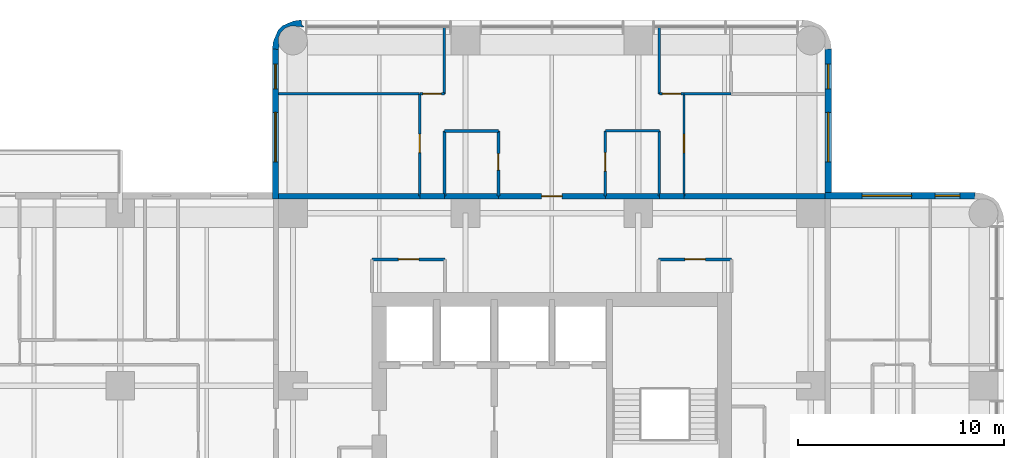
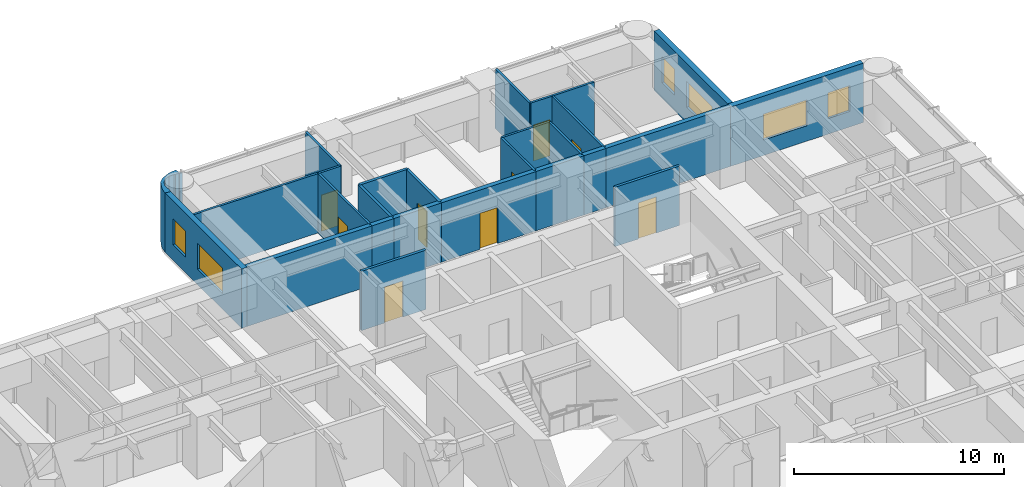
# One storey, part 9 of 11: 27 walls, 9 doors, 6 windows, 15 openings.
"""IFC4 building model written with IfcOpenShell, lengths in metres."""

from ifc_helpers import new_model, si_unit, direction, frame, frame_2d, origin, place, context, subcontext, project, spatial, polyline, rectangle, outline, extrude, material, layer, layer_set, type_object, element, fill, save


model = new_model("IFC4")

# Units and contexts
model_context = context("Model", 3, precision=1e-05, world=origin(), true_north=direction((0.0, 1.0)))
body_context = subcontext(model_context, "Body", "Model", "MODEL_VIEW")
ifc_project = project(units=[si_unit("LENGTHUNIT", "METRE"), si_unit("AREAUNIT", "SQUARE_METRE"), si_unit("VOLUMEUNIT", "CUBIC_METRE"), si_unit("PLANEANGLEUNIT", "RADIAN"), si_unit("MASSUNIT", "GRAM", prefix="KILO")], contexts=[model_context])

# Site, building, storey
site_placement = place(None, origin())
site = spatial("IfcSite", under=ifc_project, at=site_placement, CompositionType="ELEMENT")
building_placement = place(site_placement, origin())
building = spatial("IfcBuilding", under=site, at=building_placement, Name="Torre Alcanfor", CompositionType="ELEMENT")
storey_placement = place(building_placement, frame((0.0, 0.0, 194.10009765625)))
storey = spatial("IfcBuildingStorey", under=building, at=storey_placement, Name="L50", CompositionType="ELEMENT", Elevation=194.10009765625)

# Wall, opening, door
ifc_material_1 = material(Name="Concrete block masonry, hollow blocks NMX-C-404 9 MPa", Category="masonry")
ifc_layer_1 = layer(ifc_material_1, 0.25)
ifc_layer_set_1 = layer_set([ifc_layer_1], Name="Apartment entrance wall 250 EI 60")
wall_type_1 = type_object("IfcWallType", Name="Apartment entrance wall 250 EI 60", PredefinedType="PARTITIONING", material=ifc_layer_set_1)
wall_1_placement = place(storey_placement, frame((26.800048828125, 42.824951171875, 0.0), z_axis=(0.0, 0.0, 1.0), x_axis=(1.0, 0.0, 0.0)))
wall_1 = element("IfcWall", 1, at=wall_1_placement, inside=storey, type_object=wall_type_1, Name="Partition L50-CORR / L50-NX-ZAG", PredefinedType="PARTITIONING", context=body_context, shape_type="SweptSolid", body=[
    extrude(rectangle(XDim=5.199951171875, YDim=0.25, at=frame_2d((2.60009765625, 0.0))), origin(), (0.0, 0.0, 1.0), 3.449951171875),
])
opening_1_placement = place(wall_1_placement, frame((2.10009765625, 0.0, 0.0)))
opening_1 = element("IfcOpeningElement", 2, at=opening_1_placement, cuts=wall_1, Name="Opening D-A1", PredefinedType="OPENING", context=body_context, shape_type="SweptSolid", body=[
    extrude(rectangle(XDim=1.0, YDim=2.10009765625, at=frame_2d((0.5, 1.050048828125))), frame((0.0, 0.135009765625, 0.0), z_axis=(0.0, -1.0, 0.0), x_axis=(1.0, 0.0, 0.0)), (0.0, 0.0, 1.0), 0.27001953125),
])
ifc_material_2 = material(Name="Galvanised steel sheet ASTM A653", Category="steel")
door_type_1 = type_object("IfcDoorType", Name="Apartment entrance door FD60 1000x2100", OperationType="SINGLE_SWING_LEFT", PredefinedType="DOOR", material=ifc_material_2)
door_1_placement = place(opening_1_placement, origin())
door_1 = element("IfcDoor", 3, at=door_1_placement, inside=storey, type_object=door_type_1, Name="Apartment entrance L50-NX", OperationType="SINGLE_SWING_LEFT", OverallHeight=2.10009765625, OverallWidth=1.0, PredefinedType="DOOR", context=body_context, shape_type="SweptSolid", body=[
    extrude(rectangle(XDim=1.0, YDim=2.10009765625, at=frame_2d((0.5, 1.050048828125))), frame((0.0, 0.02490234375, 0.0), z_axis=(0.0, -1.0, 0.0), x_axis=(1.0, 0.0, 0.0)), (0.0, 0.0, 1.0), 0.050048828125),
])
fill(opening_1, door_1)

# Walls
wall_2_placement = place(storey_placement, frame((24.1708984375, 42.824951171875, 0.0), z_axis=(0.0, 0.0, 1.0), x_axis=(1.0, 0.0, 0.0)))
element("IfcWall", 4, at=wall_2_placement, inside=storey, type_object=wall_type_1, Name="Partition L50-CORR / L50-NX-BATH2", PredefinedType="PARTITIONING", context=body_context, shape_type="SweptSolid", body=[
    extrude(rectangle(XDim=2.629150390625, YDim=0.25, at=frame_2d((1.314453125, 0.0))), origin(), (0.0, 0.0, 1.0), 3.449951171875),
])
wall_3_placement = place(storey_placement, frame((32.0, 42.824951171875, 0.0), z_axis=(0.0, 0.0, 1.0), x_axis=(1.0, 0.0, 0.0)))
element("IfcWall", 5, at=wall_3_placement, inside=storey, type_object=wall_type_1, Name="Partition L50-CORR / L50-NX-KITCHEN", PredefinedType="PARTITIONING", context=body_context, shape_type="SweptSolid", body=[
    extrude(rectangle(XDim=2.62890625, YDim=0.25, at=frame_2d((1.314453125, 0.0))), origin(), (0.0, 0.0, 1.0), 3.449951171875),
])
wall_4_placement = place(storey_placement, frame((22.970947265625, 42.824951171875, 0.0), z_axis=(0.0, 0.0, 1.0), x_axis=(1.0, 0.0, 0.0)))
element("IfcWall", 6, at=wall_4_placement, inside=storey, type_object=wall_type_1, Name="Partition L50-CORR / L50-NX-LIVING", PredefinedType="PARTITIONING", context=body_context, shape_type="SweptSolid", body=[
    extrude(rectangle(XDim=1.199951171875, YDim=0.25, at=frame_2d((0.60009765625, 0.0))), origin(), (0.0, 0.0, 1.0), 3.449951171875),
])
wall_5_placement = place(storey_placement, frame((34.62890625, 42.824951171875, 0.0), z_axis=(0.0, 0.0, 1.0), x_axis=(1.0, 0.0, 0.0)))
element("IfcWall", 7, at=wall_5_placement, inside=storey, type_object=wall_type_1, Name="Partition L50-CORR / L50-NX-LIVING", PredefinedType="PARTITIONING", context=body_context, shape_type="SweptSolid", body=[
    extrude(rectangle(XDim=1.2001953125, YDim=0.25, at=frame_2d((0.60009765625, 0.0))), origin(), (0.0, 0.0, 1.0), 3.449951171875),
])
for number, where, z_axis, x_axis, name in (
    (8, (16.10009765625, 42.824951171875, 0.0), (0.0, 0.0, 1.0), (1.0, 0.0, 0.0), "Partition L50-CORR / L50-NX-BED2"),
    (9, (35.8291015625, 42.824951171875, 0.0), (0.0, 0.0, 1.0), (1.0, 0.0, 0.0), "Partition L50-CORR / L50-NX-BED3"),
):
    element("IfcWall", number, at=place(storey_placement, frame(where, z_axis=z_axis, x_axis=x_axis)), inside=storey, type_object=wall_type_1, Name=name, PredefinedType="PARTITIONING", context=body_context, shape_type="SweptSolid", body=[
        extrude(rectangle(XDim=6.870849609375, YDim=0.25, at=frame_2d((3.435546875, 0.0))), origin(), (0.0, 0.0, 1.0), 3.449951171875),
    ])

# Wall, opening, door
ifc_material_3 = material(Name="Gypsum board on steel studs", Category="steel")
ifc_layer_2 = layer(ifc_material_3, 0.1201171875)
ifc_layer_set_2 = layer_set([ifc_layer_2], Name="Apartment partition 120")
wall_type_2 = type_object("IfcWallType", Name="Apartment partition 120", PredefinedType="PARTITIONING", material=ifc_layer_set_2)
wall_6_placement = place(storey_placement, frame((32.0, 42.824951171875, 0.0), z_axis=(0.0, 0.0, 1.0), x_axis=(0.0, 1.0, 0.0)))
wall_6 = element("IfcWall", 10, at=wall_6_placement, inside=storey, type_object=wall_type_2, Name="Partition L50-NX-ZAG / L50-NX-KITCHEN", PredefinedType="PARTITIONING", context=body_context, shape_type="SweptSolid", body=[
    extrude(rectangle(XDim=3.175048828125, YDim=0.1201171875, at=frame_2d((1.58740234375, 0.0))), origin(), (0.0, 0.0, 1.0), 3.449951171875),
])
opening_2_placement = place(wall_6_placement, frame((1.22509765625, 0.0, 0.0)))
opening_2 = element("IfcOpeningElement", 11, at=opening_2_placement, cuts=wall_6, Name="Opening D-R1", PredefinedType="OPENING", context=body_context, shape_type="SweptSolid", body=[
    extrude(rectangle(XDim=0.89990234375, YDim=2.10009765625, at=frame_2d((0.449951171875, 1.050048828125))), frame((0.0, 0.070068359375, 0.0), z_axis=(0.0, -1.0, 0.0), x_axis=(1.0, 0.0, 0.0)), (0.0, 0.0, 1.0), 0.14013671875),
])
ifc_material_4 = material(Name="Timber", Category="wood")
door_type_2 = type_object("IfcDoorType", Name="Internal door 900x2100", OperationType="SINGLE_SWING_LEFT", PredefinedType="DOOR", material=ifc_material_4)
door_2_placement = place(opening_2_placement, frame((0.89990234375, 0.0, 0.0), z_axis=(0.0, 0.0, 1.0), x_axis=(-1.0, 0.0, 0.0)))
door_2 = element("IfcDoor", 12, at=door_2_placement, inside=storey, type_object=door_type_2, Name="Door L50-NX kitchen", OperationType="SINGLE_SWING_LEFT", OverallHeight=2.10009765625, OverallWidth=0.89990234375, PredefinedType="DOOR", context=body_context, shape_type="SweptSolid", body=[
    extrude(rectangle(XDim=0.89990234375, YDim=2.10009765625, at=frame_2d((0.449951171875, 1.050048828125))), frame((0.0, 0.025146484375, 0.0), z_axis=(0.0, -1.0, 0.0), x_axis=(1.0, 0.0, 0.0)), (0.0, 0.0, 1.0), 0.050048828125),
])
fill(opening_2, door_2)

# Walls
wall_7_placement = place(storey_placement, frame((34.62890625, 42.824951171875, 0.0), z_axis=(0.0, 0.0, 1.0), x_axis=(0.0, 1.0, 0.0)))
element("IfcWall", 13, at=wall_7_placement, inside=storey, type_object=wall_type_2, Name="Partition L50-NX-KITCHEN / L50-NX-LIVING", PredefinedType="PARTITIONING", context=body_context, shape_type="SweptSolid", body=[
    extrude(rectangle(XDim=3.175048828125, YDim=0.1201171875, at=frame_2d((1.58740234375, 0.0))), origin(), (0.0, 0.0, 1.0), 3.449951171875),
])
wall_8_placement = place(storey_placement, frame((34.62890625, 46.0, 0.0), z_axis=(0.0, 0.0, 1.0), x_axis=(-1.0, 0.0, 0.0)))
element("IfcWall", 14, at=wall_8_placement, inside=storey, type_object=wall_type_2, Name="Partition L50-NX-KITCHEN / L50-NX-LIVING", PredefinedType="PARTITIONING", context=body_context, shape_type="SweptSolid", body=[
    extrude(rectangle(XDim=2.62890625, YDim=0.1201171875, at=frame_2d((1.314453125, 0.0))), origin(), (0.0, 0.0, 1.0), 3.449951171875),
])

# Wall, opening, door
wall_9_placement = place(storey_placement, frame((22.970947265625, 42.824951171875, 0.0), z_axis=(0.0, 0.0, 1.0), x_axis=(0.0, 1.0, 0.0)))
wall_9 = element("IfcWall", 15, at=wall_9_placement, inside=storey, type_object=wall_type_2, Name="Partition L50-NX-LIVING / L50-NX-BED2", PredefinedType="PARTITIONING", context=body_context, shape_type="SweptSolid", body=[
    extrude(rectangle(XDim=4.97509765625, YDim=0.1201171875, at=frame_2d((2.487548828125, 0.0))), origin(), (0.0, 0.0, 1.0), 3.449951171875),
])
opening_3_placement = place(wall_9_placement, frame((2.125, 0.0, 0.0)))
opening_3 = element("IfcOpeningElement", 16, at=opening_3_placement, cuts=wall_9, Name="Opening D-R1", PredefinedType="OPENING", context=body_context, shape_type="SweptSolid", body=[
    extrude(rectangle(XDim=0.89990234375, YDim=2.10009765625, at=frame_2d((0.449951171875, 1.050048828125))), frame((0.0, 0.070068359375, 0.0), z_axis=(0.0, -1.0, 0.0), x_axis=(1.0, 0.0, 0.0)), (0.0, 0.0, 1.0), 0.14013671875),
])
door_3_placement = place(opening_3_placement, origin())
door_3 = element("IfcDoor", 17, at=door_3_placement, inside=storey, type_object=door_type_2, Name="Door L50-NX bed2", OperationType="SINGLE_SWING_RIGHT", OverallHeight=2.10009765625, OverallWidth=0.89990234375, PredefinedType="DOOR", context=body_context, shape_type="SweptSolid", body=[
    extrude(rectangle(XDim=0.89990234375, YDim=2.10009765625, at=frame_2d((0.449951171875, 1.050048828125))), frame((0.0, 0.02490234375, 0.0), z_axis=(0.0, -1.0, 0.0), x_axis=(1.0, 0.0, 0.0)), (0.0, 0.0, 1.0), 0.050048828125),
])
fill(opening_3, door_3)

wall_10_placement = place(storey_placement, frame((22.970947265625, 47.800048828125, 0.0), z_axis=(0.0, 0.0, 1.0), x_axis=(1.0, 0.0, 0.0)))
wall_10 = element("IfcWall", 18, at=wall_10_placement, inside=storey, type_object=wall_type_2, Name="Partition L50-NX-LIVING / L50-NX-MASTER", PredefinedType="PARTITIONING", context=body_context, shape_type="SweptSolid", body=[
    extrude(rectangle(XDim=1.199951171875, YDim=0.1201171875, at=frame_2d((0.60009765625, 0.0))), origin(), (0.0, 0.0, 1.0), 3.449951171875),
])
opening_4_placement = place(wall_10_placement, frame((0.14892578125, 0.0, 0.0)))
opening_4 = element("IfcOpeningElement", 19, at=opening_4_placement, cuts=wall_10, Name="Opening D-R1", PredefinedType="OPENING", context=body_context, shape_type="SweptSolid", body=[
    extrude(rectangle(XDim=0.89990234375, YDim=2.10009765625, at=frame_2d((0.449951171875, 1.050048828125))), frame((0.0, 0.070068359375, 0.0), z_axis=(0.0, -1.0, 0.0), x_axis=(1.0, 0.0, 0.0)), (0.0, 0.0, 1.0), 0.14013671875),
])
door_4_placement = place(opening_4_placement, origin())
door_4 = element("IfcDoor", 20, at=door_4_placement, inside=storey, type_object=door_type_2, Name="Door L50-NX master", OperationType="SINGLE_SWING_RIGHT", OverallHeight=2.10009765625, OverallWidth=0.89990234375, PredefinedType="DOOR", context=body_context, shape_type="SweptSolid", body=[
    extrude(rectangle(XDim=0.89990234375, YDim=2.10009765625, at=frame_2d((0.449951171875, 1.050048828125))), frame((0.0, 0.02490234375, 0.0), z_axis=(0.0, -1.0, 0.0), x_axis=(1.0, 0.0, 0.0)), (0.0, 0.0, 1.0), 0.050048828125),
])
fill(opening_4, door_4)

# Wall
wall_11_placement = place(storey_placement, frame((24.1708984375, 47.800048828125, 0.0), z_axis=(0.0, 0.0, 1.0), x_axis=(0.0, 1.0, 0.0)))
element("IfcWall", 21, at=wall_11_placement, inside=storey, type_object=wall_type_2, Name="Partition L50-NX-LIVING / L50-NX-MASTER", PredefinedType="PARTITIONING", context=body_context, shape_type="SweptSolid", body=[
    extrude(rectangle(XDim=3.25, YDim=0.1201171875, at=frame_2d((1.625, 0.0))), origin(), (0.0, 0.0, 1.0), 3.449951171875),
])

# Wall, opening, door
wall_12_placement = place(storey_placement, frame((35.8291015625, 47.800048828125, 0.0), z_axis=(0.0, 0.0, 1.0), x_axis=(0.0, -1.0, 0.0)))
wall_12 = element("IfcWall", 22, at=wall_12_placement, inside=storey, type_object=wall_type_2, Name="Partition L50-NX-LIVING / L50-NX-BED3", PredefinedType="PARTITIONING", context=body_context, shape_type="SweptSolid", body=[
    extrude(rectangle(XDim=4.97509765625, YDim=0.1201171875, at=frame_2d((2.487548828125, 0.0))), origin(), (0.0, 0.0, 1.0), 3.449951171875),
])
opening_5_placement = place(wall_12_placement, frame((1.949951171875, 0.0, 0.0)))
opening_5 = element("IfcOpeningElement", 23, at=opening_5_placement, cuts=wall_12, Name="Opening D-R1", PredefinedType="OPENING", context=body_context, shape_type="SweptSolid", body=[
    extrude(rectangle(XDim=0.89990234375, YDim=2.10009765625, at=frame_2d((0.449951171875, 1.050048828125))), frame((0.0, 0.070068359375, 0.0), z_axis=(0.0, -1.0, 0.0), x_axis=(1.0, 0.0, 0.0)), (0.0, 0.0, 1.0), 0.14013671875),
])
door_5_placement = place(opening_5_placement, origin())
door_5 = element("IfcDoor", 24, at=door_5_placement, inside=storey, type_object=door_type_2, Name="Door L50-NX bed3", OperationType="SINGLE_SWING_LEFT", OverallHeight=2.10009765625, OverallWidth=0.89990234375, PredefinedType="DOOR", context=body_context, shape_type="SweptSolid", body=[
    extrude(rectangle(XDim=0.89990234375, YDim=2.10009765625, at=frame_2d((0.449951171875, 1.050048828125))), frame((0.0, 0.02490234375, 0.0), z_axis=(0.0, -1.0, 0.0), x_axis=(1.0, 0.0, 0.0)), (0.0, 0.0, 1.0), 0.050048828125),
])
fill(opening_5, door_5)

# Wall
wall_13_placement = place(storey_placement, frame((34.62890625, 51.050048828125, 0.0), z_axis=(0.0, 0.0, 1.0), x_axis=(0.0, -1.0, 0.0)))
element("IfcWall", 25, at=wall_13_placement, inside=storey, type_object=wall_type_2, Name="Partition L50-NX-LIVING / L50-NX-BED1", PredefinedType="PARTITIONING", context=body_context, shape_type="SweptSolid", body=[
    extrude(rectangle(XDim=3.25, YDim=0.1201171875, at=frame_2d((1.625, 0.0))), origin(), (0.0, 0.0, 1.0), 3.449951171875),
])

# Wall, opening, door
wall_14_placement = place(storey_placement, frame((34.62890625, 47.800048828125, 0.0), z_axis=(0.0, 0.0, 1.0), x_axis=(1.0, 0.0, 0.0)))
wall_14 = element("IfcWall", 26, at=wall_14_placement, inside=storey, type_object=wall_type_2, Name="Partition L50-NX-LIVING / L50-NX-BED1", PredefinedType="PARTITIONING", context=body_context, shape_type="SweptSolid", body=[
    extrude(rectangle(XDim=1.2001953125, YDim=0.1201171875, at=frame_2d((0.60009765625, 0.0))), origin(), (0.0, 0.0, 1.0), 3.449951171875),
])
opening_6_placement = place(wall_14_placement, frame((0.15087890625, 0.0, 0.0)))
opening_6 = element("IfcOpeningElement", 27, at=opening_6_placement, cuts=wall_14, Name="Opening D-R1", PredefinedType="OPENING", context=body_context, shape_type="SweptSolid", body=[
    extrude(rectangle(XDim=0.89990234375, YDim=2.10009765625, at=frame_2d((0.449951171875, 1.050048828125))), frame((0.0, 0.070068359375, 0.0), z_axis=(0.0, -1.0, 0.0), x_axis=(1.0, 0.0, 0.0)), (0.0, 0.0, 1.0), 0.14013671875),
])
door_6_placement = place(opening_6_placement, origin())
door_6 = element("IfcDoor", 28, at=door_6_placement, inside=storey, type_object=door_type_2, Name="Door L50-NX bed1", OperationType="SINGLE_SWING_LEFT", OverallHeight=2.10009765625, OverallWidth=0.89990234375, PredefinedType="DOOR", context=body_context, shape_type="SweptSolid", body=[
    extrude(rectangle(XDim=0.89990234375, YDim=2.10009765625, at=frame_2d((0.449951171875, 1.050048828125))), frame((0.0, 0.02490234375, 0.0), z_axis=(0.0, -1.0, 0.0), x_axis=(1.0, 0.0, 0.0)), (0.0, 0.0, 1.0), 0.050048828125),
])
fill(opening_6, door_6)

# Walls
wall_15_placement = place(storey_placement, frame((22.970947265625, 47.800048828125, 0.0), z_axis=(0.0, 0.0, 1.0), x_axis=(-1.0, 0.0, 0.0)))
element("IfcWall", 29, at=wall_15_placement, inside=storey, type_object=wall_type_2, Name="Partition L50-NX-BED2 / L50-NX-MASTER", PredefinedType="PARTITIONING", context=body_context, shape_type="SweptSolid", body=[
    extrude(rectangle(XDim=6.870849609375, YDim=0.1201171875, at=frame_2d((3.435546875, 0.0))), origin(), (0.0, 0.0, 1.0), 3.449951171875),
])
wall_16_placement = place(storey_placement, frame((38.114013671875, 47.800048828125, 0.0), z_axis=(0.0, 0.0, 1.0), x_axis=(-1.0, 0.0, 0.0)))
element("IfcWall", 30, at=wall_16_placement, inside=storey, type_object=wall_type_2, Name="Partition L50-NX-BED3 / L50-NX-BED1", PredefinedType="PARTITIONING", context=body_context, shape_type="SweptSolid", body=[
    extrude(rectangle(XDim=2.284912109375, YDim=0.1201171875, at=frame_2d((1.142578125, 0.0))), origin(), (0.0, 0.0, 1.0), 3.449951171875),
])

# Wall, openings, windows
ifc_material_5 = material(Name="Limestone cladding", Category="masonry")
ifc_layer_3 = layer(ifc_material_5, 0.0400390625, Name="Facing")
ifc_material_6 = material(Name="Ventilated air cavity")
ifc_layer_4 = layer(ifc_material_6, 0.02001953125, ventilated=True, Name="Ventilated joint")
ifc_material_7 = material(Name="Mineral wool insulation", Category="insulation")
ifc_layer_5 = layer(ifc_material_7, 0.10009765625, Name="Insulation")
ifc_material_8 = material(Name="Concrete f'c 35 MPa", Category="concrete")
ifc_layer_6 = layer(ifc_material_8, 0.139892578125, Name="Backing")
ifc_layer_set_3 = layer_set([ifc_layer_3, ifc_layer_4, ifc_layer_5, ifc_layer_6], Name="External wall stone-clad 300")
wall_type_3 = type_object("IfcWallType", Name="External wall stone-clad 300", PredefinedType="SOLIDWALL", material=ifc_layer_set_3)
wall_17_placement = place(storey_placement, frame((50.0, 42.85009765625, 0.0), z_axis=(0.0, 0.0, 1.0), x_axis=(-1.0, 0.0, 0.0)))
wall_17 = element("IfcWall", 31, at=wall_17_placement, inside=storey, type_object=wall_type_3, Name="External wall L50 9", PredefinedType="SOLIDWALL", context=body_context, shape_type="SweptSolid", body=[
    extrude(rectangle(XDim=7.300048828125, YDim=0.300048828125, at=frame_2d((3.64990234375, 0.0))), origin(), (0.0, 0.0, 1.0), 3.449951171875),
])
opening_7_placement = place(wall_17_placement, frame((3.10009765625, 0.0, 0.89990234375)))
opening_7 = element("IfcOpeningElement", 32, at=opening_7_placement, cuts=wall_17, Name="Opening W1", PredefinedType="OPENING", context=body_context, shape_type="SweptSolid", body=[
    extrude(rectangle(XDim=2.39990234375, YDim=1.5, at=frame_2d((1.199951171875, 0.75))), frame((0.0, 0.159912109375, 0.0), z_axis=(0.0, -1.0, 0.0), x_axis=(1.0, 0.0, 0.0)), (0.0, 0.0, 1.0), 0.320068359375),
])
opening_8_placement = place(wall_17_placement, frame((0.75, 0.0, 0.89990234375)))
opening_8 = element("IfcOpeningElement", 33, at=opening_8_placement, cuts=wall_17, Name="Opening W4", PredefinedType="OPENING", context=body_context, shape_type="SweptSolid", body=[
    extrude(rectangle(XDim=1.199951171875, YDim=1.5, at=frame_2d((0.60009765625, 0.75))), frame((0.0, 0.159912109375, 0.0), z_axis=(0.0, -1.0, 0.0), x_axis=(1.0, 0.0, 0.0)), (0.0, 0.0, 1.0), 0.320068359375),
])
ifc_material_9 = material(Name="Aluminium frame with clear double glazing", Category="aluminium")
window_type_1 = type_object("IfcWindowType", Name="Window bedroom 1200x1500", PartitioningType="SINGLE_PANEL", PredefinedType="WINDOW", material=ifc_material_9)
window_1_placement = place(opening_8_placement, origin())
window_1 = element("IfcWindow", 34, at=window_1_placement, inside=storey, type_object=window_type_1, Name="Window W4 L50-E1", OverallHeight=1.5, OverallWidth=1.199951171875, PartitioningType="SINGLE_PANEL", PredefinedType="WINDOW", context=body_context, shape_type="SweptSolid", body=[
    extrude(rectangle(XDim=1.199951171875, YDim=1.5, at=frame_2d((0.60009765625, 0.75))), frame((0.0, 0.030029296875, 0.0), z_axis=(0.0, -1.0, 0.0), x_axis=(1.0, 0.0, 0.0)), (0.0, 0.0, 1.0), 0.06005859375),
])
fill(opening_8, window_1)
ifc_material_10 = material(Name="Aluminium frame with clear double glazing", Category="aluminium")
window_type_2 = type_object("IfcWindowType", Name="Window bedroom 2400x1500", PartitioningType="SINGLE_PANEL", PredefinedType="WINDOW", material=ifc_material_10)
window_2_placement = place(opening_7_placement, origin())
window_2 = element("IfcWindow", 35, at=window_2_placement, inside=storey, type_object=window_type_2, Name="Window W1 L50-E1", OverallHeight=1.5, OverallWidth=2.39990234375, PartitioningType="SINGLE_PANEL", PredefinedType="WINDOW", context=body_context, shape_type="SweptSolid", body=[
    extrude(rectangle(XDim=2.39990234375, YDim=1.5, at=frame_2d((1.199951171875, 0.75))), frame((0.0, 0.030029296875, 0.0), z_axis=(0.0, -1.0, 0.0), x_axis=(1.0, 0.0, 0.0)), (0.0, 0.0, 1.0), 0.06005859375),
])
fill(opening_7, window_2)

wall_18_placement = place(storey_placement, frame((42.85009765625, 43.0, 0.0), z_axis=(0.0, 0.0, 1.0), x_axis=(0.0, 1.0, 0.0)))
wall_18 = element("IfcWall", 36, at=wall_18_placement, inside=storey, type_object=wall_type_3, Name="External wall L50 10", PredefinedType="SOLIDWALL", context=body_context, shape_type="SweptSolid", body=[
    extrude(rectangle(XDim=7.0, YDim=0.300048828125, at=frame_2d((3.5, 0.0))), origin(), (0.0, 0.0, 1.0), 3.449951171875),
])
opening_9_placement = place(wall_18_placement, frame((1.5, 0.0, 0.89990234375)))
opening_9 = element("IfcOpeningElement", 37, at=opening_9_placement, cuts=wall_18, Name="Opening W1", PredefinedType="OPENING", context=body_context, shape_type="SweptSolid", body=[
    extrude(rectangle(XDim=2.39990234375, YDim=1.5, at=frame_2d((1.199951171875, 0.75))), frame((0.0, 0.159912109375, 0.0), z_axis=(0.0, -1.0, 0.0), x_axis=(1.0, 0.0, 0.0)), (0.0, 0.0, 1.0), 0.320068359375),
])
opening_10_placement = place(wall_18_placement, frame((5.050048828125, 0.0, 0.89990234375)))
opening_10 = element("IfcOpeningElement", 38, at=opening_10_placement, cuts=wall_18, Name="Opening W4", PredefinedType="OPENING", context=body_context, shape_type="SweptSolid", body=[
    extrude(rectangle(XDim=1.199951171875, YDim=1.5, at=frame_2d((0.60009765625, 0.75))), frame((0.0, 0.159912109375, 0.0), z_axis=(0.0, -1.0, 0.0), x_axis=(1.0, 0.0, 0.0)), (0.0, 0.0, 1.0), 0.320068359375),
])
window_3_placement = place(opening_10_placement, origin())
window_3 = element("IfcWindow", 39, at=window_3_placement, inside=storey, type_object=window_type_1, Name="Window W4 L50-N2", OverallHeight=1.5, OverallWidth=1.199951171875, PartitioningType="SINGLE_PANEL", PredefinedType="WINDOW", context=body_context, shape_type="SweptSolid", body=[
    extrude(rectangle(XDim=1.199951171875, YDim=1.5, at=frame_2d((0.60009765625, 0.75))), frame((0.0, 0.030029296875, 0.0), z_axis=(0.0, -1.0, 0.0), x_axis=(1.0, 0.0, 0.0)), (0.0, 0.0, 1.0), 0.06005859375),
])
fill(opening_10, window_3)
window_4_placement = place(opening_9_placement, origin())
window_4 = element("IfcWindow", 40, at=window_4_placement, inside=storey, type_object=window_type_2, Name="Window W1 L50-N2", OverallHeight=1.5, OverallWidth=2.39990234375, PartitioningType="SINGLE_PANEL", PredefinedType="WINDOW", context=body_context, shape_type="SweptSolid", body=[
    extrude(rectangle(XDim=2.39990234375, YDim=1.5, at=frame_2d((1.199951171875, 0.75))), frame((0.0, 0.030029296875, 0.0), z_axis=(0.0, -1.0, 0.0), x_axis=(1.0, 0.0, 0.0)), (0.0, 0.0, 1.0), 0.06005859375),
])
fill(opening_9, window_4)

wall_19_placement = place(storey_placement, frame((15.949951171875, 50.0, 0.0), z_axis=(0.0, 0.0, 1.0), x_axis=(0.0, -1.0, 0.0)))
wall_19 = element("IfcWall", 41, at=wall_19_placement, inside=storey, type_object=wall_type_3, Name="External wall L50 12", PredefinedType="SOLIDWALL", context=body_context, shape_type="SweptSolid", body=[
    extrude(rectangle(XDim=7.300048828125, YDim=0.300048828125, at=frame_2d((3.64990234375, 0.0))), origin(), (0.0, 0.0, 1.0), 3.449951171875),
])
opening_11_placement = place(wall_19_placement, frame((3.10009765625, 0.0, 0.89990234375)))
opening_11 = element("IfcOpeningElement", 42, at=opening_11_placement, cuts=wall_19, Name="Opening W1", PredefinedType="OPENING", context=body_context, shape_type="SweptSolid", body=[
    extrude(rectangle(XDim=2.39990234375, YDim=1.5, at=frame_2d((1.199951171875, 0.75))), frame((0.0, 0.159912109375, 0.0), z_axis=(0.0, -1.0, 0.0), x_axis=(1.0, 0.0, 0.0)), (0.0, 0.0, 1.0), 0.320068359375),
])
opening_12_placement = place(wall_19_placement, frame((0.75, 0.0, 0.89990234375)))
opening_12 = element("IfcOpeningElement", 43, at=opening_12_placement, cuts=wall_19, Name="Opening W4", PredefinedType="OPENING", context=body_context, shape_type="SweptSolid", body=[
    extrude(rectangle(XDim=1.199951171875, YDim=1.5, at=frame_2d((0.60009765625, 0.75))), frame((0.0, 0.159912109375, 0.0), z_axis=(0.0, -1.0, 0.0), x_axis=(1.0, 0.0, 0.0)), (0.0, 0.0, 1.0), 0.320068359375),
])
window_5_placement = place(opening_12_placement, origin())
window_5 = element("IfcWindow", 44, at=window_5_placement, inside=storey, type_object=window_type_1, Name="Window W4 L50-N1", OverallHeight=1.5, OverallWidth=1.199951171875, PartitioningType="SINGLE_PANEL", PredefinedType="WINDOW", context=body_context, shape_type="SweptSolid", body=[
    extrude(rectangle(XDim=1.199951171875, YDim=1.5, at=frame_2d((0.60009765625, 0.75))), frame((0.0, 0.030029296875, 0.0), z_axis=(0.0, -1.0, 0.0), x_axis=(1.0, 0.0, 0.0)), (0.0, 0.0, 1.0), 0.06005859375),
])
fill(opening_12, window_5)
window_6_placement = place(opening_11_placement, origin())
window_6 = element("IfcWindow", 45, at=window_6_placement, inside=storey, type_object=window_type_2, Name="Window W1 L50-N1", OverallHeight=1.5, OverallWidth=2.39990234375, PartitioningType="SINGLE_PANEL", PredefinedType="WINDOW", context=body_context, shape_type="SweptSolid", body=[
    extrude(rectangle(XDim=2.39990234375, YDim=1.5, at=frame_2d((1.199951171875, 0.75))), frame((0.0, 0.030029296875, 0.0), z_axis=(0.0, -1.0, 0.0), x_axis=(1.0, 0.0, 0.0)), (0.0, 0.0, 1.0), 0.06005859375),
])
fill(opening_11, window_6)

# Wall, opening, door
ifc_material_11 = material(Name="Concrete block masonry, hollow blocks NMX-C-404 9 MPa", Category="masonry")
ifc_layer_7 = layer(ifc_material_11, 0.14990234375)
ifc_layer_set_4 = layer_set([ifc_layer_7], Name="Residents' room partition 150")
wall_type_4 = type_object("IfcWallType", Name="Residents' room partition 150", PredefinedType="PARTITIONING", material=ifc_layer_set_4)
wall_20_placement = place(storey_placement, frame((24.199951171875, 39.75, 0.0), z_axis=(0.0, 0.0, 1.0), x_axis=(-1.0, 0.0, 0.0)))
wall_20 = element("IfcWall", 46, at=wall_20_placement, inside=storey, type_object=wall_type_4, Name="Partition L50-CORR / L50-G01", PredefinedType="PARTITIONING", context=body_context, shape_type="SweptSolid", body=[
    extrude(rectangle(XDim=3.550048828125, YDim=0.14990234375, at=frame_2d((1.77490234375, 0.0))), origin(), (0.0, 0.0, 1.0), 3.449951171875),
])
opening_13_placement = place(wall_20_placement, frame((1.27490234375, 0.0, 0.0)))
opening_13 = element("IfcOpeningElement", 47, at=opening_13_placement, cuts=wall_20, Name="Opening D-M1", PredefinedType="OPENING", context=body_context, shape_type="SweptSolid", body=[
    extrude(rectangle(XDim=1.0, YDim=2.10009765625, at=frame_2d((0.5, 1.050048828125))), frame((0.0, 0.0849609375, 0.0), z_axis=(0.0, -1.0, 0.0), x_axis=(1.0, 0.0, 0.0)), (0.0, 0.0, 1.0), 0.169921875),
])
ifc_material_12 = material(Name="Timber", Category="wood")
door_type_3 = type_object("IfcDoorType", Name="Residents' room door 1000x2100", OperationType="SINGLE_SWING_LEFT", PredefinedType="DOOR", material=ifc_material_12)
door_7_placement = place(opening_13_placement, origin())
door_7 = element("IfcDoor", 48, at=door_7_placement, inside=storey, type_object=door_type_3, Name="Door L50-G01 residents' storage", OperationType="SINGLE_SWING_LEFT", OverallHeight=2.10009765625, OverallWidth=1.0, PredefinedType="DOOR", context=body_context, shape_type="SweptSolid", body=[
    extrude(rectangle(XDim=1.0, YDim=2.10009765625, at=frame_2d((0.5, 1.050048828125))), frame((0.0, 0.02490234375, 0.0), z_axis=(0.0, -1.0, 0.0), x_axis=(1.0, 0.0, 0.0)), (0.0, 0.0, 1.0), 0.050048828125),
])
fill(opening_13, door_7)

wall_21_placement = place(storey_placement, frame((38.14990234375, 39.75, 0.0), z_axis=(0.0, 0.0, 1.0), x_axis=(-1.0, 0.0, 0.0)))
wall_21 = element("IfcWall", 49, at=wall_21_placement, inside=storey, type_object=wall_type_4, Name="Partition L50-CORR / L50-G02", PredefinedType="PARTITIONING", context=body_context, shape_type="SweptSolid", body=[
    extrude(rectangle(XDim=3.5498046875, YDim=0.14990234375, at=frame_2d((1.77490234375, 0.0))), origin(), (0.0, 0.0, 1.0), 3.449951171875),
])
opening_14_placement = place(wall_21_placement, frame((1.27490234375, 0.0, 0.0)))
opening_14 = element("IfcOpeningElement", 50, at=opening_14_placement, cuts=wall_21, Name="Opening D-M1", PredefinedType="OPENING", context=body_context, shape_type="SweptSolid", body=[
    extrude(rectangle(XDim=1.0, YDim=2.10009765625, at=frame_2d((0.5, 1.050048828125))), frame((0.0, 0.0849609375, 0.0), z_axis=(0.0, -1.0, 0.0), x_axis=(1.0, 0.0, 0.0)), (0.0, 0.0, 1.0), 0.169921875),
])
door_8_placement = place(opening_14_placement, origin())
door_8 = element("IfcDoor", 51, at=door_8_placement, inside=storey, type_object=door_type_3, Name="Door L50-G02 parcel room", OperationType="SINGLE_SWING_LEFT", OverallHeight=2.10009765625, OverallWidth=1.0, PredefinedType="DOOR", context=body_context, shape_type="SweptSolid", body=[
    extrude(rectangle(XDim=1.0, YDim=2.10009765625, at=frame_2d((0.5, 1.050048828125))), frame((0.0, 0.02490234375, 0.0), z_axis=(0.0, -1.0, 0.0), x_axis=(1.0, 0.0, 0.0)), (0.0, 0.0, 1.0), 0.050048828125),
])
fill(opening_14, door_8)

# Wall
ifc_layer_8 = layer(ifc_material_5, 0.0400390625, Name="Facing")
ifc_layer_9 = layer(ifc_material_6, 0.02001953125, ventilated=True, Name="Ventilated joint")
ifc_layer_10 = layer(ifc_material_7, 0.10009765625, Name="Insulation")
ifc_layer_11 = layer(ifc_material_8, 0.139892578125, Name="Backing")
ifc_layer_set_5 = layer_set([ifc_layer_8, ifc_layer_9, ifc_layer_10, ifc_layer_11], Name="Rounded corner pier stone-clad 300")
wall_type_5 = type_object("IfcWallType", Name="Rounded corner pier stone-clad 300", PredefinedType="SOLIDWALL", material=ifc_layer_set_5)
wall_22_placement = place(storey_placement, frame((17.312325495, 50.98815184, 0.0), z_axis=(0.0, 0.0, 1.0), x_axis=(-0.439933741929, 0.898030234854, 0.0)))
element("IfcWall", 52, at=wall_22_placement, inside=storey, type_object=wall_type_5, Name="Corner pier L50 20", PredefinedType="SOLIDWALL", context=body_context, shape_type="SweptSolid", body=[
    extrude(outline(polyline([(0.1377143835604198, -0.039385181817258766), (0.1818364553516057, -0.0003747232930663008), (0.4192016580531099, -0.08022740006820503), (0.5358388106960636, 0.26607727478531357), (0.5587531272282371, 0.6308374918089354), (0.5545485345760868, 0.6511120475500328), (0.5663705271242188, 0.8356242584424797), (0.45553712270786306, 1.1593357577081085), (0.33310540567156155, 1.2978817433582523), (0.3240010425966217, 1.316478699637952), (0.08232775629815992, 1.5906485457460864), (-0.22208869605726766, 1.7927915068834772), (-0.3896080971502234, 1.5407383104861123), (-0.3718491984629172, 1.532038448890355), (-0.1945577897528935, 1.41446516530517), (-0.1197255547664915, 1.4096136894189937), (0.13065299215824444, 1.286956381488686), (0.3152401217440383, 1.07772560900137), (0.4057142184300525, 0.8140105545565798), (0.3881041552353981, 0.5355508442955765), (0.26544684730509027, 0.28517229737084054), (0.20907264065944553, 0.23558040158200633), (0.14755628183616776, 0.052848260637269044), (0.10502262325175554, 0.07368496618760154), (0.031879342428165675, -0.0756213301834538), (0.1377143835604198, -0.039385181817258766)])), origin(), (0.0, 0.0, 1.0), 3.449951171875),
])

# Wall, opening, door
ifc_material_13 = material(Name="Cement board on steel studs", Category="steel")
ifc_layer_12 = layer(ifc_material_13, 0.14990234375)
ifc_layer_set_6 = layer_set([ifc_layer_12], Name="Wet area partition 150")
wall_type_6 = type_object("IfcWallType", Name="Wet area partition 150", PredefinedType="PARTITIONING", material=ifc_layer_set_6)
wall_23_placement = place(storey_placement, frame((26.800048828125, 46.0, 0.0), z_axis=(0.0, 0.0, 1.0), x_axis=(0.0, -1.0, 0.0)))
wall_23 = element("IfcWall", 53, at=wall_23_placement, inside=storey, type_object=wall_type_6, Name="Partition L50-NX-ZAG / L50-NX-BATH2", PredefinedType="PARTITIONING", context=body_context, shape_type="SweptSolid", body=[
    extrude(rectangle(XDim=3.175048828125, YDim=0.14990234375, at=frame_2d((1.58740234375, 0.0))), origin(), (0.0, 0.0, 1.0), 3.449951171875),
])
opening_15_placement = place(wall_23_placement, frame((1.10009765625, 0.0, 0.0)))
opening_15 = element("IfcOpeningElement", 54, at=opening_15_placement, cuts=wall_23, Name="Opening D-R2", PredefinedType="OPENING", context=body_context, shape_type="SweptSolid", body=[
    extrude(rectangle(XDim=0.800048828125, YDim=2.10009765625, at=frame_2d((0.39990234375, 1.050048828125))), frame((0.0, 0.0849609375, 0.0), z_axis=(0.0, -1.0, 0.0), x_axis=(1.0, 0.0, 0.0)), (0.0, 0.0, 1.0), 0.169921875),
])
ifc_material_14 = material(Name="Timber", Category="wood")
door_type_4 = type_object("IfcDoorType", Name="Bathroom door 800x2100", OperationType="SINGLE_SWING_LEFT", PredefinedType="DOOR", material=ifc_material_14)
door_9_placement = place(opening_15_placement, frame((0.800048828125, 0.0, 0.0), z_axis=(0.0, 0.0, 1.0), x_axis=(-1.0, 0.0, 0.0)))
door_9 = element("IfcDoor", 55, at=door_9_placement, inside=storey, type_object=door_type_4, Name="Door L50-NX bath2", OperationType="SINGLE_SWING_RIGHT", OverallHeight=2.10009765625, OverallWidth=0.800048828125, PredefinedType="DOOR", context=body_context, shape_type="SweptSolid", body=[
    extrude(rectangle(XDim=0.800048828125, YDim=2.10009765625, at=frame_2d((0.400146484375, 1.050048828125))), frame((0.0, 0.025146484375, 0.0), z_axis=(0.0, -1.0, 0.0), x_axis=(1.0, 0.0, 0.0)), (0.0, 0.0, 1.0), 0.050048828125),
])
fill(opening_15, door_9)

# Walls
wall_24_placement = place(storey_placement, frame((26.800048828125, 46.0, 0.0), z_axis=(0.0, 0.0, 1.0), x_axis=(-1.0, 0.0, 0.0)))
element("IfcWall", 56, at=wall_24_placement, inside=storey, type_object=wall_type_6, Name="Partition L50-NX-BATH2 / L50-NX-LIVING", PredefinedType="PARTITIONING", context=body_context, shape_type="SweptSolid", body=[
    extrude(rectangle(XDim=2.629150390625, YDim=0.14990234375, at=frame_2d((1.314453125, 0.0))), origin(), (0.0, 0.0, 1.0), 3.449951171875),
])
wall_25_placement = place(storey_placement, frame((24.1708984375, 46.0, 0.0), z_axis=(0.0, 0.0, 1.0), x_axis=(0.0, -1.0, 0.0)))
element("IfcWall", 57, at=wall_25_placement, inside=storey, type_object=wall_type_6, Name="Partition L50-NX-BATH2 / L50-NX-LIVING", PredefinedType="PARTITIONING", context=body_context, shape_type="SweptSolid", body=[
    extrude(rectangle(XDim=3.175048828125, YDim=0.14990234375, at=frame_2d((1.58740234375, 0.0))), origin(), (0.0, 0.0, 1.0), 3.449951171875),
])

save(model, "model.ifc")
